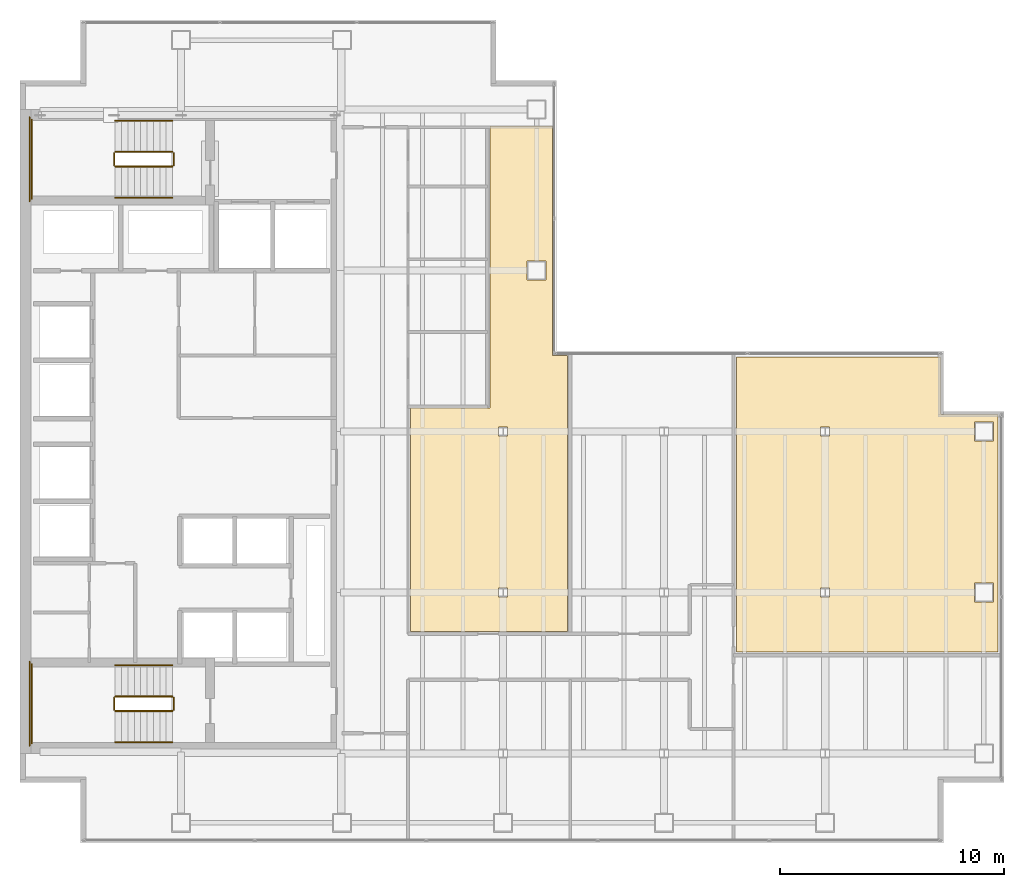
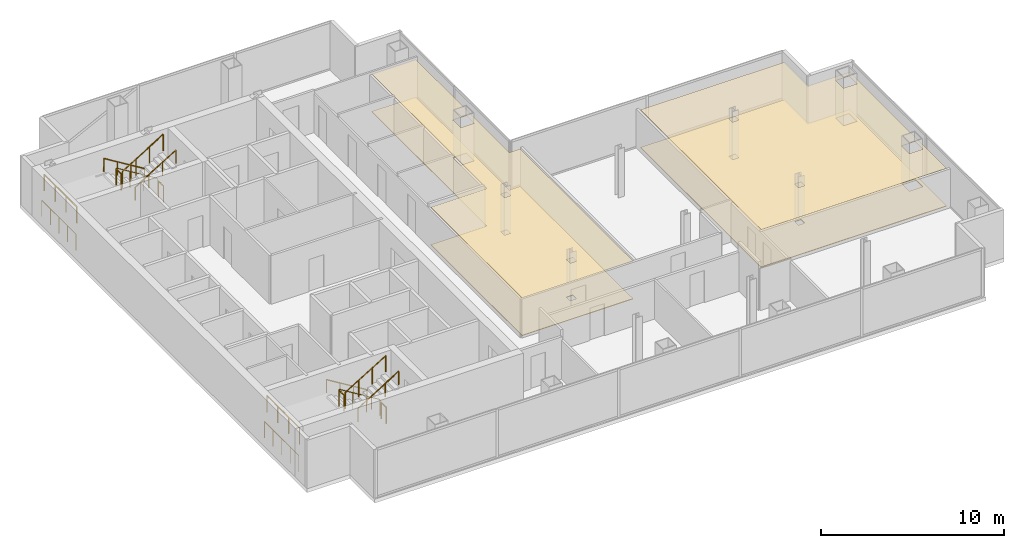
# One storey, part 23 of 23: 16 railings, 4 coverings.
"""IFC4 building model written with IfcOpenShell, lengths in metres."""

import ifcopenshell
import ifcopenshell.guid

model = None  # the IFC model being written
_history = None  # IfcOwnerHistory: only IFC2X3 demands one
_inside = {}  # id of a spatial element -> (the spatial element, [elements in it])
_under = {}  # id of a project, library or spatial element -> (it, [spatial elements below it])
_declared = {}  # id of a project -> (the project, [libraries it declares])
_typed = {}  # id of a type object -> (the type object, [elements of that type])
_made_of = {}  # id of a material, layer set ... -> (it, [elements and type objects made of it])


def new_model(schema):
    """Start an empty IFC model of exactly this schema.

    Asked for "IFC4X3", IfcOpenShell would pick the latest addendum, in which some entities
    have other attributes; the version numbers below select the first issue.
    IFC2X3 requires an IfcOwnerHistory on every rooted entity: one is made here for all.
    """
    global model, _history
    if schema == "IFC4X3":
        model = ifcopenshell.file(schema_version=(4, 3, 0, 0))
    else:
        model = ifcopenshell.file(schema=schema)
    _inside.clear()
    _under.clear()
    _declared.clear()
    _typed.clear()
    _made_of.clear()
    _history = None
    if model.schema == "IFC2X3":
        org = make("IfcOrganization", Name="unknown")
        user = make(
            "IfcPersonAndOrganization",
            ThePerson=make("IfcPerson", FamilyName="unknown"),
            TheOrganization=org,
        )
        app = make(
            "IfcApplication",
            ApplicationDeveloper=org,
            Version="unknown",
            ApplicationFullName="unknown",
            ApplicationIdentifier="unknown",
        )
        _history = make(
            "IfcOwnerHistory",
            OwningUser=user,
            OwningApplication=app,
            ChangeAction="ADDED",
            CreationDate=0,
        )
    return model


def make(cls, **values):
    """One entity of the class cls with the attributes given. An attribute that is None is left unset."""
    return model.create_entity(
        cls, **{name: value for name, value in values.items() if value is not None}
    )


def rooted(cls, **values):
    """An entity with a GlobalId (a new one), such as an element, a storey or a relation."""
    return make(cls, GlobalId=ifcopenshell.guid.new(), OwnerHistory=_history, **values)


def si_unit(unit_type, name, prefix=None):
    """IfcSIUnit, for example si_unit("LENGTHUNIT", "METRE", prefix="MILLI")."""
    return make("IfcSIUnit", UnitType=unit_type, Prefix=prefix, Name=name)


def assignment(units):
    """IfcUnitAssignment: the units of a project."""
    return None if units is None else make("IfcUnitAssignment", Units=units)


def point(xyz):
    """IfcCartesianPoint."""
    return None if xyz is None else make("IfcCartesianPoint", Coordinates=xyz)


def direction(xyz):
    """IfcDirection."""
    return None if xyz is None else make("IfcDirection", DirectionRatios=xyz)


def frame(location, z_axis=None, x_axis=None):
    """IfcAxis2Placement3D, a coordinate frame: its origin and axes. An axis left out is left unset."""
    return make(
        "IfcAxis2Placement3D",
        Location=point(location),
        Axis=direction(z_axis),
        RefDirection=direction(x_axis),
    )


def frame_2d(location, x_axis=None):
    """IfcAxis2Placement2D, a coordinate frame in the plane: its origin and x axis."""
    return make(
        "IfcAxis2Placement2D", Location=point(location), RefDirection=direction(x_axis)
    )


def origin():
    """The frame at (0, 0, 0) with its axes left unset."""
    return frame((0.0, 0.0, 0.0))


def origin_2d():
    """The frame at (0, 0) in the plane with its x axis left unset."""
    return frame_2d((0.0, 0.0))


def place(relative_to, where):
    """IfcLocalPlacement: puts the frame where relative to a parent placement (None: the world)."""
    return make(
        "IfcLocalPlacement", PlacementRelTo=relative_to, RelativePlacement=where
    )


def context(
    kind, dimensions, precision=None, world=None, true_north=None, identifier=None
):
    """IfcGeometricRepresentationContext, for example the 3D "Model" context."""
    return make(
        "IfcGeometricRepresentationContext",
        ContextIdentifier=identifier,
        ContextType=kind,
        CoordinateSpaceDimension=dimensions,
        Precision=precision,
        WorldCoordinateSystem=world,
        TrueNorth=true_north,
    )


def subcontext(parent, identifier, kind, view, scale=None):
    """IfcGeometricRepresentationSubContext, for example "Body" below "Model"."""
    return make(
        "IfcGeometricRepresentationSubContext",
        ContextIdentifier=identifier,
        ContextType=kind,
        ParentContext=parent,
        TargetScale=scale,
        TargetView=view,
    )


def project(units=None, contexts=None):
    """IfcProject with its units and contexts."""
    return rooted(
        "IfcProject",
        Name="project",
        RepresentationContexts=contexts,
        UnitsInContext=assignment(units),
    )


def spatial(cls, under=None, at=None, **own):
    """A site, building, storey or space (cls), placed at a placement, below another one or the project."""
    s = rooted(cls, ObjectPlacement=at, **own)
    if under is not None:
        _under.setdefault(under.id(), (under, []))[1].append(s)
    return s


def polyline(points):
    """IfcPolyline through the points."""
    return make("IfcPolyline", Points=[point(p) for p in points])


def profile(cls, at=None, kind="AREA", **sizes):
    """A parametric profile (cls). Its sizes go by their IFC names, for example OverallWidth=200.0."""
    return make(cls, ProfileType=kind, Position=at, **sizes)


def circle(**sizes):
    """IfcCircleProfileDef."""
    return profile("IfcCircleProfileDef", **sizes)


def outline(outer, holes=None, kind="AREA"):
    """IfcArbitraryClosedProfileDef: a profile drawn as a closed curve; with holes, ...WithVoids."""
    if holes is None:
        return make("IfcArbitraryClosedProfileDef", ProfileType=kind, OuterCurve=outer)
    return make(
        "IfcArbitraryProfileDefWithVoids",
        ProfileType=kind,
        OuterCurve=outer,
        InnerCurves=holes,
    )


def extrude(swept, where, along, depth):
    """IfcExtrudedAreaSolid: the profile swept, set in the frame where, extruded along a direction by depth."""
    return make(
        "IfcExtrudedAreaSolid",
        SweptArea=swept,
        Position=where,
        ExtrudedDirection=direction(along),
        Depth=depth,
    )


def shape(context_of_items, identifier, shape_type, items):
    """IfcShapeRepresentation: the items that make up one representation, for example the "Body"."""
    return make(
        "IfcShapeRepresentation",
        ContextOfItems=context_of_items,
        RepresentationIdentifier=identifier,
        RepresentationType=shape_type,
        Items=items,
    )


def material(Name=None, Category=None):
    """IfcMaterial."""
    return make("IfcMaterial", Name=Name, Category=Category)


def layer(
    of_material, thickness, ventilated=None, Name=None, Category=None, Priority=None
):
    """IfcMaterialLayer: one layer of a wall or slab, of a material (None: an air gap)."""
    return make(
        "IfcMaterialLayer",
        Material=of_material,
        LayerThickness=thickness,
        IsVentilated=ventilated,
        Name=Name,
        Category=Category,
        Priority=Priority,
    )


def layer_set(layers, Name=None):
    """IfcMaterialLayerSet."""
    return make("IfcMaterialLayerSet", MaterialLayers=layers, LayerSetName=Name)


def made_of(thing, what):
    """Note that an element or type object is made of a material, layer set ...; save() writes the relation."""
    if what is not None:
        _made_of.setdefault(what.id(), (what, []))[1].append(thing)
    return thing


def type_object(cls, material=None, **own):
    """A type object (cls), such as IfcWallType, which elements share."""
    return made_of(rooted(cls, **own), material)


def element(
    cls,
    number,
    at=None,
    inside=None,
    cuts=None,
    type_object=None,
    material=None,
    context=None,
    identifier="Body",
    shape_type=None,
    held_by="IfcProductDefinitionShape",
    body=None,
    shapes=None,
    **own,
):
    """One element of the class cls, such as IfcWall. Its Tag is "e" and its number.

    at: its placement. inside: the storey or other place that contains it. cuts: it is an
    opening in that element (IfcRelVoidsElement). A single representation is given by context,
    identifier, shape_type and body (its items); several are given by shapes. held_by: the class
    of the entity that holds the representations. save() writes the other relations.
    """
    e = rooted(cls, Tag="e%d" % number, ObjectPlacement=at, **own)
    if body is not None:
        shapes = [shape(context, identifier, shape_type, body)]
    if shapes is not None:
        e.Representation = make(held_by, Representations=shapes)
    if inside is not None:
        _inside.setdefault(inside.id(), (inside, []))[1].append(e)
    if cuts is not None:
        rooted(
            "IfcRelVoidsElement", RelatingBuildingElement=cuts, RelatedOpeningElement=e
        )
    if type_object is not None:
        _typed.setdefault(type_object.id(), (type_object, []))[1].append(e)
    return made_of(e, material)


def aggregate(whole, parts):
    """IfcRelAggregates: a whole, such as a stair, and the parts it consists of."""
    return rooted("IfcRelAggregates", RelatingObject=whole, RelatedObjects=parts)


def save(model, path):
    """Write the relations noted so far, then the file.

    IfcRelAggregates (storeys below a building ...), IfcRelContainedInSpatialStructure (elements
    in a storey), IfcRelDefinesByType, IfcRelAssociatesMaterial and IfcRelDeclares: one each for
    every whole, place, type object, material and project.
    """
    for whole, parts in _under.values():
        aggregate(whole, parts)
    for where, things in _inside.values():
        rooted(
            "IfcRelContainedInSpatialStructure",
            RelatedElements=things,
            RelatingStructure=where,
        )
    for kind, things in _typed.values():
        rooted("IfcRelDefinesByType", RelatedObjects=things, RelatingType=kind)
    for what, things in _made_of.values():
        rooted("IfcRelAssociatesMaterial", RelatedObjects=things, RelatingMaterial=what)
    for by, libraries in _declared.values():
        rooted("IfcRelDeclares", RelatingContext=by, RelatedDefinitions=libraries)
    model.write(path)


model = new_model("IFC4")

# Units and contexts
model_context = context("Model", 3, precision=1e-05, world=origin(), true_north=direction((0.0, 1.0)))
body_context = subcontext(model_context, "Body", "Model", "MODEL_VIEW")
ifc_project = project(units=[si_unit("LENGTHUNIT", "METRE"), si_unit("AREAUNIT", "SQUARE_METRE"), si_unit("VOLUMEUNIT", "CUBIC_METRE"), si_unit("PLANEANGLEUNIT", "RADIAN"), si_unit("MASSUNIT", "GRAM", prefix="KILO")], contexts=[model_context])

# Site, building, storey
site_placement = place(None, origin())
site = spatial("IfcSite", under=ifc_project, at=site_placement, CompositionType="ELEMENT")
building_placement = place(site_placement, origin())
building = spatial("IfcBuilding", under=site, at=building_placement, Name="Cobrela Telecom Tower", CompositionType="ELEMENT")
storey_placement = place(building_placement, frame((0.0, 0.0, 173.25)))
storey = spatial("IfcBuildingStorey", under=building, at=storey_placement, Name="L43", CompositionType="ELEMENT", Elevation=173.25)

# Coverings
ifc_material_1 = material(Name="Mineral Fibre Acoustic Ceiling Tile")
ifc_layer_1 = layer(ifc_material_1, 0.02490234375)
ifc_layer_set_1 = layer_set([ifc_layer_1], Name="Mineral Fibre Acoustic Ceiling Tile")
covering_type_1 = type_object("IfcCoveringType", Name="COV-CEIL-ACT", PredefinedType="CEILING", material=ifc_layer_set_1)
covering_1_placement = place(storey_placement, frame((0.0, 0.0, 2.52001953125)))
element("IfcCovering", 1, at=covering_1_placement, inside=storey, type_object=covering_type_1, Name="L43 Systems Engineering Studio 8 Suspended Acoustic Ceiling", PredefinedType="CEILING", context=body_context, shape_type="SweptSolid", body=[
    extrude(outline(polyline([(41.14990234375, 24.93994140625), (41.14990234375, 22.489013671875), (41.150634765625, 22.476318359375), (41.152587890625, 22.462646484375), (41.156005859375, 22.449462890625), (41.16064453125, 22.436279296875), (41.16650390625, 22.424072265625), (41.173583984375, 22.412109375), (41.181640625, 22.401123046875), (41.19091796875, 22.39111328125), (41.201171875, 22.381591796875), (41.212158203125, 22.37353515625), (41.22412109375, 22.366455078125), (41.236328125, 22.360595703125), (41.24951171875, 22.35595703125), (41.2626953125, 22.3525390625), (41.2763671875, 22.3505859375), (41.2890625, 22.35009765625), (43.739990234375, 22.35009765625), (43.739990234375, 11.739990234375), (32.0400390625, 11.739990234375), (32.0400390625, 24.93994140625), (41.14990234375, 24.93994140625)]), holes=[polyline([(36.199462890625, 14.202880859375), (36.199462890625, 14.596923828125), (35.800537109375, 14.596923828125), (35.800537109375, 14.202880859375), (36.199462890625, 14.202880859375)]), polyline([(43.52490234375, 13.97509765625), (43.52490234375, 14.824951171875), (42.675048828125, 14.824951171875), (42.675048828125, 13.97509765625), (43.52490234375, 13.97509765625)]), polyline([(36.199462890625, 21.403076171875), (36.199462890625, 21.797119140625), (35.800537109375, 21.797119140625), (35.800537109375, 21.403076171875), (36.199462890625, 21.403076171875)]), polyline([(43.52490234375, 21.175048828125), (43.52490234375, 22.02490234375), (42.675048828125, 22.02490234375), (42.675048828125, 21.175048828125), (43.52490234375, 21.175048828125)])]), origin(), (0.0, 0.0, 1.0), 0.02490234375),
])
covering_2_placement = place(storey_placement, frame((0.0, 0.0, 2.52001953125)))
element("IfcCovering", 2, at=covering_2_placement, inside=storey, type_object=covering_type_1, Name="L43 Team Coffee Pantry 2 Suspended Acoustic Ceiling", PredefinedType="CEILING", context=body_context, shape_type="SweptSolid", body=[
    extrude(outline(polyline([(21.02001953125, 22.639892578125), (21.02001953125, 35.25), (23.784912109375, 35.25), (23.790283203125, 35.251220703125), (23.79541015625, 35.252197265625), (23.800048828125, 35.254150390625), (23.800048828125, 25.0), (24.47998046875, 25.0), (24.47998046875, 12.64990234375), (17.469970703125, 12.64990234375), (17.469970703125, 22.639892578125), (21.02001953125, 22.639892578125)]), holes=[polyline([(21.799560546875, 14.596923828125), (21.400390625, 14.596923828125), (21.400390625, 14.202880859375), (21.799560546875, 14.202880859375), (21.799560546875, 14.596923828125)]), polyline([(21.799560546875, 21.797119140625), (21.400390625, 21.797119140625), (21.400390625, 21.403076171875), (21.799560546875, 21.403076171875), (21.799560546875, 21.797119140625)]), polyline([(23.52490234375, 29.22509765625), (22.675048828125, 29.22509765625), (22.675048828125, 28.375), (23.52490234375, 28.375), (23.52490234375, 29.22509765625)])]), origin(), (0.0, 0.0, 1.0), 0.02490234375),
])
ifc_material_2 = material(Name="Honed Colombian Basalt Stone", Category="masonry")
ifc_layer_2 = layer(ifc_material_2, 0.0400390625)
ifc_layer_set_2 = layer_set([ifc_layer_2], Name="Honed Colombian Basalt Stone")
covering_type_2 = type_object("IfcCoveringType", Name="COV-FLR-STONE", PredefinedType="FLOORING", material=ifc_layer_set_2)
covering_3_placement = place(storey_placement, origin())
element("IfcCovering", 3, at=covering_3_placement, inside=storey, type_object=covering_type_2, Name="L43 Systems Engineering Studio 8 Raised Technical Flooring", PredefinedType="FLOORING", context=body_context, shape_type="SweptSolid", body=[
    extrude(outline(polyline([(41.14990234375, 24.93994140625), (41.14990234375, 22.489013671875), (41.150634765625, 22.476318359375), (41.152587890625, 22.462646484375), (41.156005859375, 22.449462890625), (41.16064453125, 22.436279296875), (41.16650390625, 22.424072265625), (41.173583984375, 22.412109375), (41.181640625, 22.401123046875), (41.19091796875, 22.39111328125), (41.201171875, 22.381591796875), (41.212158203125, 22.37353515625), (41.22412109375, 22.366455078125), (41.236328125, 22.360595703125), (41.24951171875, 22.35595703125), (41.2626953125, 22.3525390625), (41.2763671875, 22.3505859375), (41.2890625, 22.35009765625), (43.739990234375, 22.35009765625), (43.739990234375, 11.739990234375), (32.0400390625, 11.739990234375), (32.0400390625, 24.93994140625), (41.14990234375, 24.93994140625)]), holes=[polyline([(36.199462890625, 14.202880859375), (36.199462890625, 14.596923828125), (35.800537109375, 14.596923828125), (35.800537109375, 14.202880859375), (36.199462890625, 14.202880859375)]), polyline([(43.52490234375, 13.97509765625), (43.52490234375, 14.824951171875), (42.675048828125, 14.824951171875), (42.675048828125, 13.97509765625), (43.52490234375, 13.97509765625)]), polyline([(36.199462890625, 21.403076171875), (36.199462890625, 21.797119140625), (35.800537109375, 21.797119140625), (35.800537109375, 21.403076171875), (36.199462890625, 21.403076171875)]), polyline([(43.52490234375, 21.175048828125), (43.52490234375, 22.02490234375), (42.675048828125, 22.02490234375), (42.675048828125, 21.175048828125), (43.52490234375, 21.175048828125)])]), origin(), (0.0, 0.0, 1.0), 0.0400390625),
])
covering_4_placement = place(storey_placement, origin())
element("IfcCovering", 4, at=covering_4_placement, inside=storey, type_object=covering_type_2, Name="L43 Team Coffee Pantry 2 Raised Technical Flooring", PredefinedType="FLOORING", context=body_context, shape_type="SweptSolid", body=[
    extrude(outline(polyline([(21.02001953125, 22.639892578125), (21.02001953125, 35.25), (23.784912109375, 35.25), (23.790283203125, 35.251220703125), (23.79541015625, 35.252197265625), (23.800048828125, 35.254150390625), (23.800048828125, 25.0), (24.47998046875, 25.0), (24.47998046875, 12.64990234375), (17.469970703125, 12.64990234375), (17.469970703125, 22.639892578125), (21.02001953125, 22.639892578125)]), holes=[polyline([(21.799560546875, 14.596923828125), (21.400390625, 14.596923828125), (21.400390625, 14.202880859375), (21.799560546875, 14.202880859375), (21.799560546875, 14.596923828125)]), polyline([(21.799560546875, 21.797119140625), (21.400390625, 21.797119140625), (21.400390625, 21.403076171875), (21.799560546875, 21.403076171875), (21.799560546875, 21.797119140625)]), polyline([(23.52490234375, 29.22509765625), (22.675048828125, 29.22509765625), (22.675048828125, 28.375), (23.52490234375, 28.375), (23.52490234375, 29.22509765625)])]), origin(), (0.0, 0.0, 1.0), 0.0400390625),
])

# Railings
ifc_material_3 = material(Name="Steel ASTM A36", Category="steel")
railing_type_1 = type_object("IfcRailingType", Name="RAIL-GUARD-1100", PredefinedType="GUARDRAIL", material=ifc_material_3)
railing_1_placement = place(storey_placement, frame((6.820068359375, 34.10009765625, 0.175048828125)))
element("IfcRailing", 5, at=railing_1_placement, inside=storey, type_object=railing_type_1, Name="L43 ST1 stair guard 1", PredefinedType="GUARDRAIL", context=body_context, shape_type="SweptSolid", body=[
    extrude(circle(Radius=0.02392578125, at=origin_2d()), frame((0.0, 0.0, 1.076171875), z_axis=(-0.852195335862, 0.0, 0.523223766217), x_axis=(0.0, -1.0, 0.0)), (0.0, 0.0, 1.0), 3.010009765625),
    extrude(circle(Radius=0.02099609375, at=origin_2d()), origin(), (0.0, 0.0, 1.0), 1.052001953125),
    extrude(circle(Radius=0.02099609375, at=origin_2d()), frame((-0.85498046875, 0.0, 0.52490234375)), (0.0, 0.0, 1.0), 1.052001953125),
    extrude(circle(Radius=0.02099609375, at=origin_2d()), frame((-1.710205078125, 0.0, 1.050048828125)), (0.0, 0.0, 1.0), 1.052001953125),
    extrude(circle(Radius=0.02099609375, at=origin_2d()), frame((-2.565185546875, 0.0, 1.574951171875)), (0.0, 0.0, 1.0), 1.052001953125),
])
railing_2_placement = place(storey_placement, frame((4.205078125, 34.050048828125, 1.75)))
element("IfcRailing", 6, at=railing_2_placement, inside=storey, type_object=railing_type_1, Name="L43 ST1 stair guard 2", PredefinedType="GUARDRAIL", context=body_context, shape_type="SweptSolid", body=[
    extrude(circle(Radius=0.02392578125, at=origin_2d()), frame((0.0, 0.0, 1.076171875), z_axis=(0.0, -1.0, 0.0), x_axis=(1.0, 0.0, 0.0)), (0.0, 0.0, 1.0), 0.550048828125),
    extrude(circle(Radius=0.02099609375, at=origin_2d()), origin(), (0.0, 0.0, 1.0), 1.052001953125),
    extrude(circle(Radius=0.02099609375, at=origin_2d()), frame((0.0, -0.550048828125, 0.0)), (0.0, 0.0, 1.0), 1.052001953125),
])
railing_3_placement = place(storey_placement, frame((0.530029296875, 35.550048828125, 1.75)))
element("IfcRailing", 7, at=railing_3_placement, inside=storey, type_object=railing_type_1, Name="L43 ST1 stair guard 3", PredefinedType="GUARDRAIL", context=body_context, shape_type="SweptSolid", body=[
    extrude(circle(Radius=0.02392578125, at=origin_2d()), frame((0.0, 0.0, 1.076171875), z_axis=(0.0, -1.0, 0.0), x_axis=(1.0, 0.0, 0.0)), (0.0, 0.0, 1.0), 3.550048828125),
    extrude(circle(Radius=0.02099609375, at=origin_2d()), origin(), (0.0, 0.0, 1.0), 1.052001953125),
    extrude(circle(Radius=0.02099609375, at=origin_2d()), frame((0.0, -1.183349609375, 0.0)), (0.0, 0.0, 1.0), 1.052001953125),
    extrude(circle(Radius=0.02099609375, at=origin_2d()), frame((0.0, -2.36669921875, 0.0)), (0.0, 0.0, 1.0), 1.052001953125),
    extrude(circle(Radius=0.02099609375, at=origin_2d()), frame((0.0, -3.550048828125, 0.0)), (0.0, 0.0, 1.0), 1.052001953125),
])
railing_4_placement = place(storey_placement, frame((4.2548828125, 33.449951171875, 1.925048828125)))
element("IfcRailing", 8, at=railing_4_placement, inside=storey, type_object=railing_type_1, Name="L43 ST1 stair guard 4", PredefinedType="GUARDRAIL", context=body_context, shape_type="SweptSolid", body=[
    extrude(circle(Radius=0.02392578125, at=origin_2d()), frame((0.0, 0.0, 1.076171875), z_axis=(0.852195335862, 0.0, 0.523223766217), x_axis=(0.0, 1.0, 0.0)), (0.0, 0.0, 1.0), 3.010009765625),
    extrude(circle(Radius=0.02099609375, at=origin_2d()), origin(), (0.0, 0.0, 1.0), 1.052001953125),
    extrude(circle(Radius=0.02099609375, at=origin_2d()), frame((0.85498046875, 0.0, 0.52490234375)), (0.0, 0.0, 1.0), 1.052001953125),
    extrude(circle(Radius=0.02099609375, at=origin_2d()), frame((1.710205078125, 0.0, 1.050048828125)), (0.0, 0.0, 1.0), 1.052001953125),
    extrude(circle(Radius=0.02099609375, at=origin_2d()), frame((2.565185546875, 0.0, 1.574951171875)), (0.0, 0.0, 1.0), 1.052001953125),
])
railing_5_placement = place(storey_placement, frame((6.8701171875, 34.050048828125, 0.0)))
element("IfcRailing", 9, at=railing_5_placement, inside=storey, type_object=railing_type_1, Name="L43 ST1 stair guard 5", PredefinedType="GUARDRAIL", context=body_context, shape_type="SweptSolid", body=[
    extrude(circle(Radius=0.02392578125, at=origin_2d()), frame((0.0, 0.0, 1.076171875), z_axis=(0.0, -1.0, 0.0), x_axis=(1.0, 0.0, 0.0)), (0.0, 0.0, 1.0), 0.550048828125),
    extrude(circle(Radius=0.02099609375, at=origin_2d()), origin(), (0.0, 0.0, 1.0), 1.052001953125),
    extrude(circle(Radius=0.02099609375, at=origin_2d()), frame((0.0, -0.550048828125, 0.0)), (0.0, 0.0, 1.0), 1.052001953125),
])
railing_6_placement = place(storey_placement, frame((0.429931640625, 35.64990234375, 0.0)))
element("IfcRailing", 10, at=railing_6_placement, inside=storey, type_object=railing_type_1, Name="L43 ST1 stair guard 6", PredefinedType="GUARDRAIL", context=body_context, shape_type="SweptSolid", body=[
    extrude(circle(Radius=0.02392578125, at=origin_2d()), frame((0.0, 0.0, 1.076171875), z_axis=(0.0, -1.0, 0.0), x_axis=(1.0, 0.0, 0.0)), (0.0, 0.0, 1.0), 3.75),
    extrude(circle(Radius=0.02099609375, at=origin_2d()), origin(), (0.0, 0.0, 1.0), 1.052001953125),
    extrude(circle(Radius=0.02099609375, at=origin_2d()), frame((0.0, -0.9375, 0.0)), (0.0, 0.0, 1.0), 1.052001953125),
    extrude(circle(Radius=0.02099609375, at=origin_2d()), frame((0.0, -1.875, 0.0)), (0.0, 0.0, 1.0), 1.052001953125),
    extrude(circle(Radius=0.02099609375, at=origin_2d()), frame((0.0, -2.8125, 0.0)), (0.0, 0.0, 1.0), 1.052001953125),
    extrude(circle(Radius=0.02099609375, at=origin_2d()), frame((0.0, -3.75, 0.0)), (0.0, 0.0, 1.0), 1.052001953125),
])
railing_7_placement = place(storey_placement, frame((6.820068359375, 9.75, 0.175048828125)))
element("IfcRailing", 11, at=railing_7_placement, inside=storey, type_object=railing_type_1, Name="L43 ST2 stair guard 1", PredefinedType="GUARDRAIL", context=body_context, shape_type="SweptSolid", body=[
    extrude(circle(Radius=0.02392578125, at=origin_2d()), frame((0.0, 0.0, 1.076171875), z_axis=(-0.852195335862, 0.0, 0.523223766217), x_axis=(0.0, -1.0, 0.0)), (0.0, 0.0, 1.0), 3.010009765625),
    extrude(circle(Radius=0.02099609375, at=origin_2d()), origin(), (0.0, 0.0, 1.0), 1.052001953125),
    extrude(circle(Radius=0.02099609375, at=origin_2d()), frame((-0.85498046875, 0.0, 0.52490234375)), (0.0, 0.0, 1.0), 1.052001953125),
    extrude(circle(Radius=0.02099609375, at=origin_2d()), frame((-1.710205078125, 0.0, 1.050048828125)), (0.0, 0.0, 1.0), 1.052001953125),
    extrude(circle(Radius=0.02099609375, at=origin_2d()), frame((-2.565185546875, 0.0, 1.574951171875)), (0.0, 0.0, 1.0), 1.052001953125),
])
railing_8_placement = place(storey_placement, frame((4.205078125, 9.699951171875, 1.75)))
element("IfcRailing", 12, at=railing_8_placement, inside=storey, type_object=railing_type_1, Name="L43 ST2 stair guard 2", PredefinedType="GUARDRAIL", context=body_context, shape_type="SweptSolid", body=[
    extrude(circle(Radius=0.02392578125, at=origin_2d()), frame((0.0, 0.0, 1.076171875), z_axis=(0.0, -1.0, 0.0), x_axis=(1.0, 0.0, 0.0)), (0.0, 0.0, 1.0), 0.550048828125),
    extrude(circle(Radius=0.02099609375, at=origin_2d()), origin(), (0.0, 0.0, 1.0), 1.052001953125),
    extrude(circle(Radius=0.02099609375, at=origin_2d()), frame((0.0, -0.550048828125, 0.0)), (0.0, 0.0, 1.0), 1.052001953125),
])
railing_9_placement = place(storey_placement, frame((0.530029296875, 11.199951171875, 1.75)))
element("IfcRailing", 13, at=railing_9_placement, inside=storey, type_object=railing_type_1, Name="L43 ST2 stair guard 3", PredefinedType="GUARDRAIL", context=body_context, shape_type="SweptSolid", body=[
    extrude(circle(Radius=0.02392578125, at=origin_2d()), frame((0.0, 0.0, 1.076171875), z_axis=(0.0, -1.0, 0.0), x_axis=(1.0, 0.0, 0.0)), (0.0, 0.0, 1.0), 3.550048828125),
    extrude(circle(Radius=0.02099609375, at=origin_2d()), origin(), (0.0, 0.0, 1.0), 1.052001953125),
    extrude(circle(Radius=0.02099609375, at=origin_2d()), frame((0.0, -1.183349609375, 0.0)), (0.0, 0.0, 1.0), 1.052001953125),
    extrude(circle(Radius=0.02099609375, at=origin_2d()), frame((0.0, -2.36669921875, 0.0)), (0.0, 0.0, 1.0), 1.052001953125),
    extrude(circle(Radius=0.02099609375, at=origin_2d()), frame((0.0, -3.550048828125, 0.0)), (0.0, 0.0, 1.0), 1.052001953125),
])
railing_10_placement = place(storey_placement, frame((4.2548828125, 9.10009765625, 1.925048828125)))
element("IfcRailing", 14, at=railing_10_placement, inside=storey, type_object=railing_type_1, Name="L43 ST2 stair guard 4", PredefinedType="GUARDRAIL", context=body_context, shape_type="SweptSolid", body=[
    extrude(circle(Radius=0.02392578125, at=origin_2d()), frame((0.0, 0.0, 1.076171875), z_axis=(0.852195335862, 0.0, 0.523223766217), x_axis=(0.0, 1.0, 0.0)), (0.0, 0.0, 1.0), 3.010009765625),
    extrude(circle(Radius=0.02099609375, at=origin_2d()), origin(), (0.0, 0.0, 1.0), 1.052001953125),
    extrude(circle(Radius=0.02099609375, at=origin_2d()), frame((0.85498046875, 0.0, 0.52490234375)), (0.0, 0.0, 1.0), 1.052001953125),
    extrude(circle(Radius=0.02099609375, at=origin_2d()), frame((1.710205078125, 0.0, 1.050048828125)), (0.0, 0.0, 1.0), 1.052001953125),
    extrude(circle(Radius=0.02099609375, at=origin_2d()), frame((2.565185546875, 0.0, 1.574951171875)), (0.0, 0.0, 1.0), 1.052001953125),
])
railing_11_placement = place(storey_placement, frame((6.8701171875, 9.699951171875, 0.0)))
element("IfcRailing", 15, at=railing_11_placement, inside=storey, type_object=railing_type_1, Name="L43 ST2 stair guard 5", PredefinedType="GUARDRAIL", context=body_context, shape_type="SweptSolid", body=[
    extrude(circle(Radius=0.02392578125, at=origin_2d()), frame((0.0, 0.0, 1.076171875), z_axis=(0.0, -1.0, 0.0), x_axis=(1.0, 0.0, 0.0)), (0.0, 0.0, 1.0), 0.550048828125),
    extrude(circle(Radius=0.02099609375, at=origin_2d()), origin(), (0.0, 0.0, 1.0), 1.052001953125),
    extrude(circle(Radius=0.02099609375, at=origin_2d()), frame((0.0, -0.550048828125, 0.0)), (0.0, 0.0, 1.0), 1.052001953125),
])
railing_12_placement = place(storey_placement, frame((0.429931640625, 11.300048828125, 0.0)))
element("IfcRailing", 16, at=railing_12_placement, inside=storey, type_object=railing_type_1, Name="L43 ST2 stair guard 6", PredefinedType="GUARDRAIL", context=body_context, shape_type="SweptSolid", body=[
    extrude(circle(Radius=0.02392578125, at=origin_2d()), frame((0.0, 0.0, 1.076171875), z_axis=(0.0, -1.0, 0.0), x_axis=(1.0, 0.0, 0.0)), (0.0, 0.0, 1.0), 3.75),
    extrude(circle(Radius=0.02099609375, at=origin_2d()), origin(), (0.0, 0.0, 1.0), 1.052001953125),
    extrude(circle(Radius=0.02099609375, at=origin_2d()), frame((0.0, -0.9375, 0.0)), (0.0, 0.0, 1.0), 1.052001953125),
    extrude(circle(Radius=0.02099609375, at=origin_2d()), frame((0.0, -1.875, 0.0)), (0.0, 0.0, 1.0), 1.052001953125),
    extrude(circle(Radius=0.02099609375, at=origin_2d()), frame((0.0, -2.8125, 0.0)), (0.0, 0.0, 1.0), 1.052001953125),
    extrude(circle(Radius=0.02099609375, at=origin_2d()), frame((0.0, -3.75, 0.0)), (0.0, 0.0, 1.0), 1.052001953125),
])
railing_type_2 = type_object("IfcRailingType", Name="RAIL-HAND-920", PredefinedType="HANDRAIL", material=ifc_material_3)
railing_13_placement = place(storey_placement, frame((6.820068359375, 35.5, 0.175048828125)))
element("IfcRailing", 17, at=railing_13_placement, inside=storey, type_object=railing_type_2, Name="L43 ST1 stair handrail 1", PredefinedType="HANDRAIL", context=body_context, shape_type="SweptSolid", body=[
    extrude(circle(Radius=0.02392578125, at=origin_2d()), frame((0.0, 0.0, 0.8759765625), z_axis=(-0.852195335862, 0.0, 0.523223766217), x_axis=(0.0, -1.0, 0.0)), (0.0, 0.0, 1.0), 3.010009765625),
    extrude(circle(Radius=0.02099609375, at=origin_2d()), origin(), (0.0, 0.0, 1.0), 0.851806640625),
    extrude(circle(Radius=0.02099609375, at=origin_2d()), frame((-0.85498046875, 0.0, 0.52490234375)), (0.0, 0.0, 1.0), 0.851806640625),
    extrude(circle(Radius=0.02099609375, at=origin_2d()), frame((-1.710205078125, 0.0, 1.050048828125)), (0.0, 0.0, 1.0), 0.851806640625),
    extrude(circle(Radius=0.02099609375, at=origin_2d()), frame((-2.565185546875, 0.0, 1.574951171875)), (0.0, 0.0, 1.0), 0.851806640625),
])
railing_14_placement = place(storey_placement, frame((4.2548828125, 32.050048828125, 1.925048828125)))
element("IfcRailing", 18, at=railing_14_placement, inside=storey, type_object=railing_type_2, Name="L43 ST1 stair handrail 2", PredefinedType="HANDRAIL", context=body_context, shape_type="SweptSolid", body=[
    extrude(circle(Radius=0.02392578125, at=origin_2d()), frame((0.0, 0.0, 0.8759765625), z_axis=(0.852195335862, 0.0, 0.523223766217), x_axis=(0.0, 1.0, 0.0)), (0.0, 0.0, 1.0), 3.010009765625),
    extrude(circle(Radius=0.02099609375, at=origin_2d()), origin(), (0.0, 0.0, 1.0), 0.851806640625),
    extrude(circle(Radius=0.02099609375, at=origin_2d()), frame((0.85498046875, 0.0, 0.52490234375)), (0.0, 0.0, 1.0), 0.851806640625),
    extrude(circle(Radius=0.02099609375, at=origin_2d()), frame((1.710205078125, 0.0, 1.050048828125)), (0.0, 0.0, 1.0), 0.851806640625),
    extrude(circle(Radius=0.02099609375, at=origin_2d()), frame((2.565185546875, 0.0, 1.574951171875)), (0.0, 0.0, 1.0), 0.851806640625),
])
railing_15_placement = place(storey_placement, frame((6.820068359375, 11.14990234375, 0.175048828125)))
element("IfcRailing", 19, at=railing_15_placement, inside=storey, type_object=railing_type_2, Name="L43 ST2 stair handrail 1", PredefinedType="HANDRAIL", context=body_context, shape_type="SweptSolid", body=[
    extrude(circle(Radius=0.02392578125, at=origin_2d()), frame((0.0, 0.0, 0.8759765625), z_axis=(-0.852195335862, 0.0, 0.523223766217), x_axis=(0.0, -1.0, 0.0)), (0.0, 0.0, 1.0), 3.010009765625),
    extrude(circle(Radius=0.02099609375, at=origin_2d()), origin(), (0.0, 0.0, 1.0), 0.851806640625),
    extrude(circle(Radius=0.02099609375, at=origin_2d()), frame((-0.85498046875, 0.0, 0.52490234375)), (0.0, 0.0, 1.0), 0.851806640625),
    extrude(circle(Radius=0.02099609375, at=origin_2d()), frame((-1.710205078125, 0.0, 1.050048828125)), (0.0, 0.0, 1.0), 0.851806640625),
    extrude(circle(Radius=0.02099609375, at=origin_2d()), frame((-2.565185546875, 0.0, 1.574951171875)), (0.0, 0.0, 1.0), 0.851806640625),
])
railing_16_placement = place(storey_placement, frame((4.2548828125, 7.699951171875, 1.925048828125)))
element("IfcRailing", 20, at=railing_16_placement, inside=storey, type_object=railing_type_2, Name="L43 ST2 stair handrail 2", PredefinedType="HANDRAIL", context=body_context, shape_type="SweptSolid", body=[
    extrude(circle(Radius=0.02392578125, at=origin_2d()), frame((0.0, 0.0, 0.8759765625), z_axis=(0.852195335862, 0.0, 0.523223766217), x_axis=(0.0, 1.0, 0.0)), (0.0, 0.0, 1.0), 3.010009765625),
    extrude(circle(Radius=0.02099609375, at=origin_2d()), origin(), (0.0, 0.0, 1.0), 0.851806640625),
    extrude(circle(Radius=0.02099609375, at=origin_2d()), frame((0.85498046875, 0.0, 0.52490234375)), (0.0, 0.0, 1.0), 0.851806640625),
    extrude(circle(Radius=0.02099609375, at=origin_2d()), frame((1.710205078125, 0.0, 1.050048828125)), (0.0, 0.0, 1.0), 0.851806640625),
    extrude(circle(Radius=0.02099609375, at=origin_2d()), frame((2.565185546875, 0.0, 1.574951171875)), (0.0, 0.0, 1.0), 0.851806640625),
])

save(model, "model.ifc")
